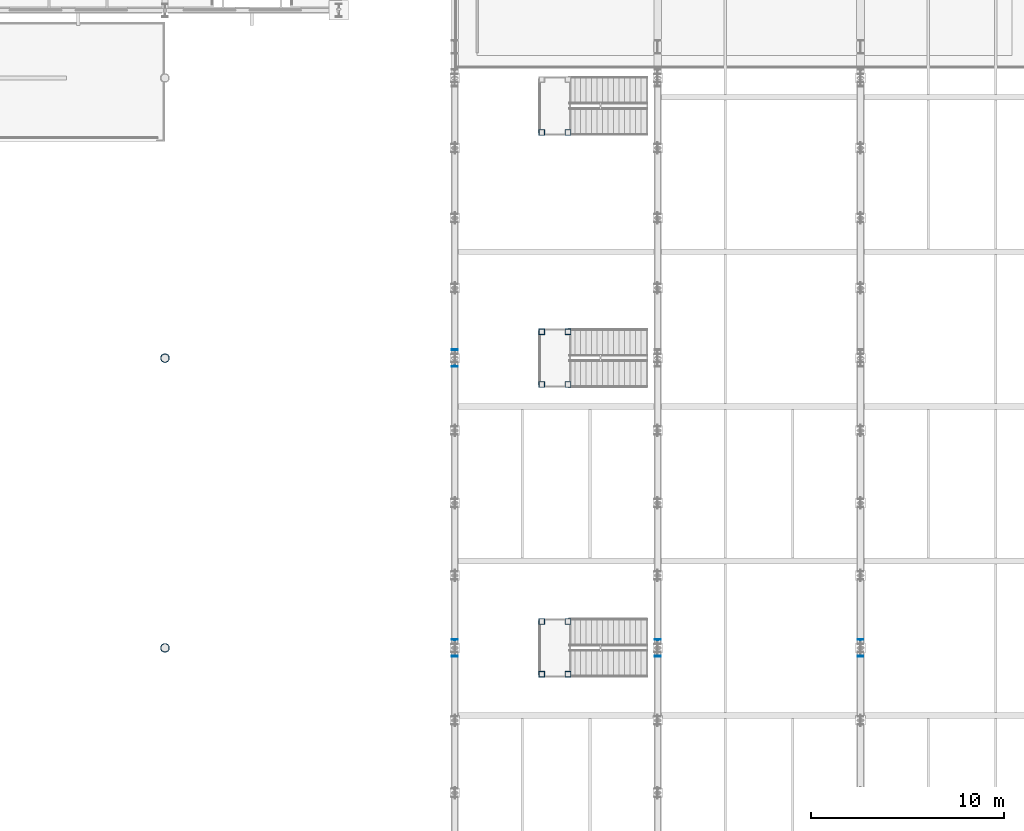
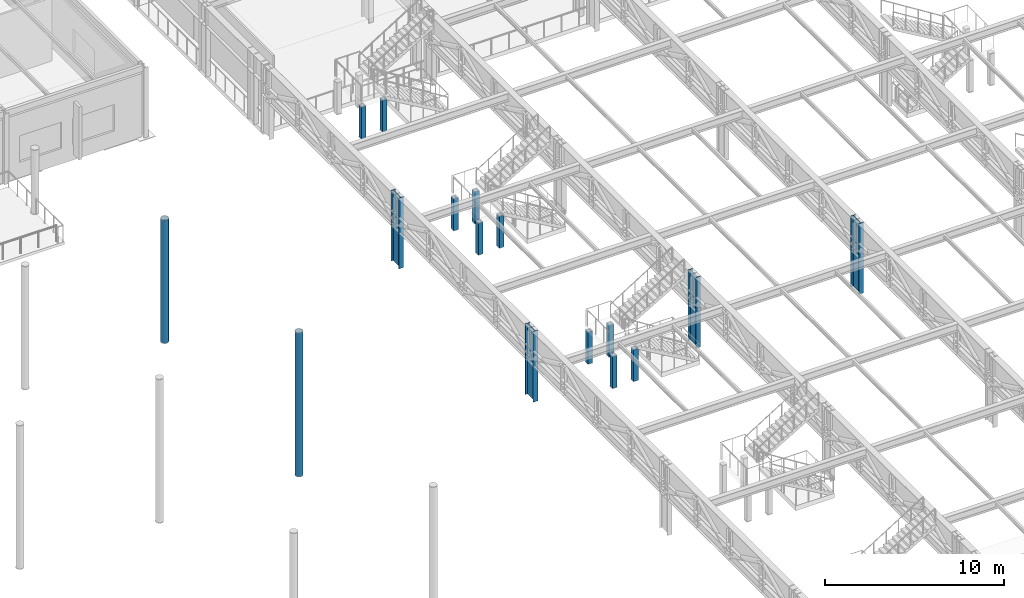
# One storey, part 11 of 143: 16 columns.
"""IFC4 building model written with IfcOpenShell, lengths in metres."""

from ifc_helpers import new_model, si_unit, direction, frame, origin, origin_2d, place, context, subcontext, project, spatial, hollow_rectangle, hollow_circle, i_section, extrude, material, material_profile, profile_set, type_object, element, save


model = new_model("IFC4")

# Units and contexts
model_context = context("Model", 3, precision=1e-05, world=origin(), true_north=direction((0.0, 1.0)))
body_context = subcontext(model_context, "Body", "Model", "MODEL_VIEW")
ifc_project = project(units=[si_unit("LENGTHUNIT", "METRE"), si_unit("AREAUNIT", "SQUARE_METRE"), si_unit("VOLUMEUNIT", "CUBIC_METRE"), si_unit("PLANEANGLEUNIT", "RADIAN"), si_unit("MASSUNIT", "GRAM", prefix="KILO")], contexts=[model_context])

# Site, building, storey
site_placement = place(None, origin())
site = spatial("IfcSite", under=ifc_project, at=site_placement, CompositionType="ELEMENT")
building_placement = place(site_placement, origin())
building = spatial("IfcBuilding", under=site, at=building_placement, Name="Marlcrest Central Station", CompositionType="ELEMENT")
storey_placement = place(building_placement, frame((0.0, 0.0, 4.800048828125)))
storey = spatial("IfcBuildingStorey", under=building, at=storey_placement, Name="L01", CompositionType="ELEMENT", Elevation=4.800048828125)

# Columns
ifc_material = material(Name="Steel S355", Category="steel")
ifc_material_profile_1 = material_profile(ifc_material, i_section(OverallWidth=0.300048828125, OverallDepth=0.89990234375, WebThickness=0.0185546875, FlangeThickness=0.034912109375, FilletRadius=0.030029296875, at=origin_2d()), Name="HEB 900")
ifc_profile_set_1 = profile_set([ifc_material_profile_1], Name="Steel S355")
column_type_1 = type_object("IfcColumnType", Name="SC-09", PredefinedType="COLUMN", material=ifc_profile_set_1)
for number, where, z_axis, x_axis, name in (
    (1, (87.0, 66.0, 0.0), (0.0, 0.0, 1.0), (1.0, 0.0, 0.0), "col-SC-09-L01-0622"),
    (2, (87.0, 81.0, 0.0), (0.0, 0.0, 1.0), (1.0, 0.0, 0.0), "col-SC-09-L01-0624"),
    (3, (97.5, 66.0, 0.0), (0.0, 0.0, 1.0), (1.0, 0.0, 0.0), "col-SC-09-L01-0632"),
    (4, (108.0, 66.0, 0.0), (0.0, 0.0, 1.0), (1.0, 0.0, 0.0), "col-SC-09-L01-0642"),
):
    element("IfcColumn", number, at=place(storey_placement, frame(where, z_axis=z_axis, x_axis=x_axis)), inside=storey, type_object=column_type_1, Name=name, PredefinedType="COLUMN", context=body_context, shape_type="SweptSolid", body=[
        extrude(i_section(OverallWidth=0.300048828125, OverallDepth=0.89990234375, WebThickness=0.0185546875, FlangeThickness=0.034912109375, FilletRadius=0.030029296875, at=origin_2d()), origin(), (0.0, 0.0, 1.0), 4.81494140625),
    ])
ifc_material_profile_2 = material_profile(ifc_material, hollow_circle(Radius=0.228515625, WallThickness=0.02001953125, at=origin_2d()), Name="CHS 457x20")
ifc_profile_set_2 = profile_set([ifc_material_profile_2], Name="Steel S355")
column_type_2 = type_object("IfcColumnType", Name="SC-11", PredefinedType="COLUMN", material=ifc_profile_set_2)
column_1_placement = place(storey_placement, frame((72.0, 66.0, 0.0), z_axis=(0.0, 0.0, 1.0), x_axis=(1.0, 0.0, 0.0)))
element("IfcColumn", 5, at=column_1_placement, inside=storey, type_object=column_type_2, Name="col-SC-11-L01-0497", PredefinedType="COLUMN", context=body_context, shape_type="SweptSolid", body=[
    extrude(hollow_circle(Radius=0.228515625, WallThickness=0.02001953125, at=origin_2d()), origin(), (0.0, 0.0, 1.0), 9.800048828125),
])
column_2_placement = place(storey_placement, frame((72.0, 81.0, 0.0), z_axis=(0.0, 0.0, 1.0), x_axis=(1.0, 0.0, 0.0)))
element("IfcColumn", 6, at=column_2_placement, inside=storey, type_object=column_type_2, Name="col-SC-11-L01-0499", PredefinedType="COLUMN", context=body_context, shape_type="SweptSolid", body=[
    extrude(hollow_circle(Radius=0.228515625, WallThickness=0.02001953125, at=origin_2d()), origin(), (0.0, 0.0, 1.0), 8.40380859375),
])
ifc_material_profile_3 = material_profile(ifc_material, hollow_rectangle(XDim=0.300048828125, YDim=0.300048828125, WallThickness=0.01611328125, at=origin_2d()), Name="SHS 300x300x16")
ifc_profile_set_3 = profile_set([ifc_material_profile_3], Name="Steel S355")
column_type_3 = type_object("IfcColumnType", Name="SC-19", PredefinedType="COLUMN", material=ifc_profile_set_3)
for number, where, z_axis, x_axis, name in (
    (7, (91.5, 64.6298828125, 0.0), (0.0, 0.0, 1.0), (1.0, 0.0, 0.0), "stcol-hi1-0015-915-646"),
    (8, (91.5, 67.3701171875, 0.0), (0.0, 0.0, 1.0), (1.0, 0.0, 0.0), "stcol-hi1-0015-915-673"),
    (9, (92.860107421875, 64.6298828125, 0.0), (0.0, 0.0, 1.0), (1.0, 0.0, 0.0), "stcol-hi1-0015-928-646"),
    (10, (92.860107421875, 67.3701171875, 0.0), (0.0, 0.0, 1.0), (1.0, 0.0, 0.0), "stcol-hi1-0015-928-673"),
    (11, (91.5, 79.6298828125, 0.0), (0.0, 0.0, 1.0), (1.0, 0.0, 0.0), "stcol-hi1-0021-915-796"),
    (12, (91.5, 82.3701171875, 0.0), (0.0, 0.0, 1.0), (1.0, 0.0, 0.0), "stcol-hi1-0021-915-823"),
    (13, (92.860107421875, 79.6298828125, 0.0), (0.0, 0.0, 1.0), (1.0, 0.0, 0.0), "stcol-hi1-0021-928-796"),
    (14, (92.860107421875, 82.3701171875, 0.0), (0.0, 0.0, 1.0), (1.0, 0.0, 0.0), "stcol-hi1-0021-928-823"),
    (15, (91.5, 92.679931640625, 0.0), (0.0, 0.0, 1.0), (1.0, 0.0, 0.0), "stcol-hi1-0027-915-926"),
    (16, (92.860107421875, 92.679931640625, 0.0), (0.0, 0.0, 1.0), (1.0, 0.0, 0.0), "stcol-hi1-0027-928-926"),
):
    element("IfcColumn", number, at=place(storey_placement, frame(where, z_axis=z_axis, x_axis=x_axis)), inside=storey, type_object=column_type_3, Name=name, PredefinedType="COLUMN", context=body_context, shape_type="SweptSolid", body=[
        extrude(hollow_rectangle(XDim=0.300048828125, YDim=0.300048828125, WallThickness=0.01611328125, at=origin_2d()), origin(), (0.0, 0.0, 1.0), 2.179931640625),
    ])

save(model, "model.ifc")
